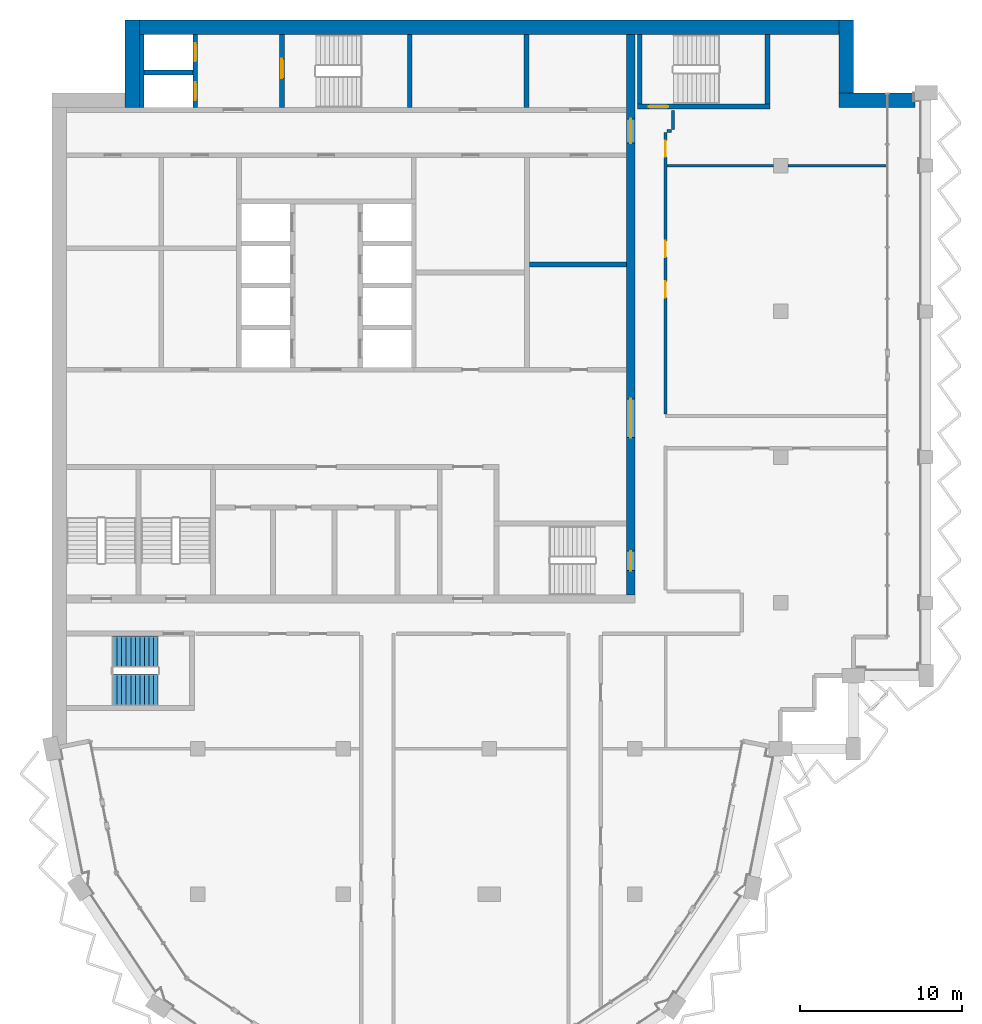
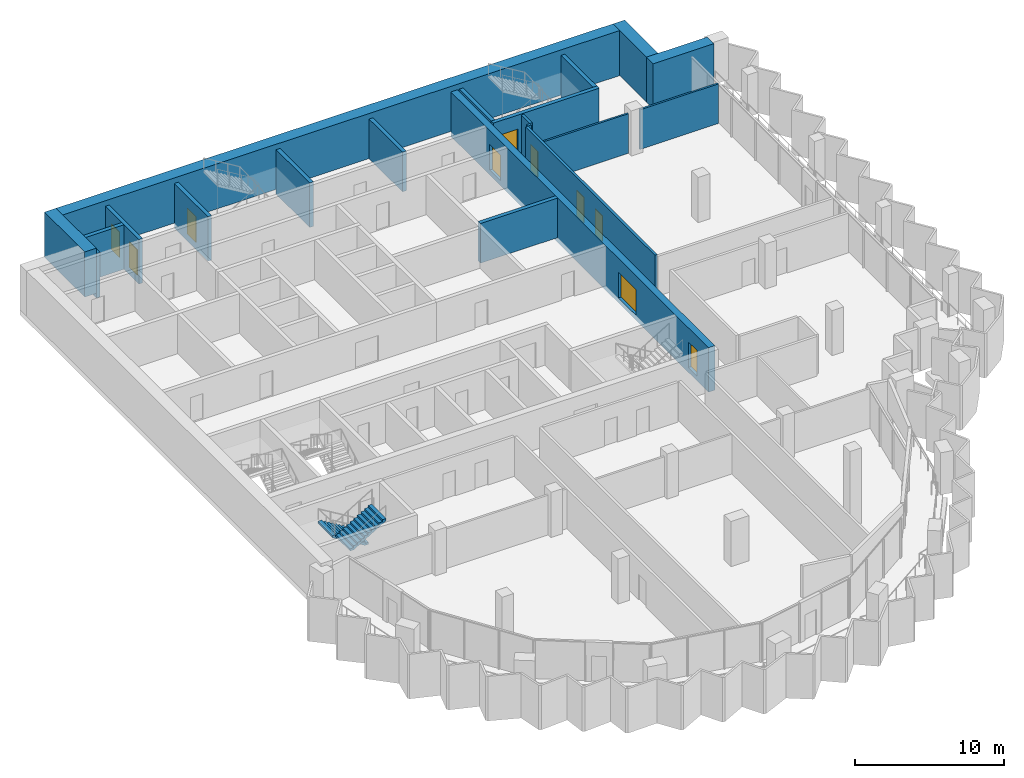
# One storey, part 8 of 13: 20 walls, 10 doors, 2 stair flights, 10 openings, 1 element without a shape of its own.
"""IFC4 building model written with IfcOpenShell, lengths in metres."""

from ifc_helpers import new_model, si_unit, direction, frame, frame_2d, origin, place, context, subcontext, project, spatial, polyline, rectangle, outline, extrude, material, layer, layer_set, type_object, element, fill, aggregate, save


model = new_model("IFC4")

# Units and contexts
model_context = context("Model", 3, precision=1e-05, world=origin(), true_north=direction((0.0, 1.0)))
body_context = subcontext(model_context, "Body", "Model", "MODEL_VIEW")
ifc_project = project(units=[si_unit("LENGTHUNIT", "METRE"), si_unit("AREAUNIT", "SQUARE_METRE"), si_unit("VOLUMEUNIT", "CUBIC_METRE"), si_unit("PLANEANGLEUNIT", "RADIAN"), si_unit("MASSUNIT", "GRAM", prefix="KILO")], contexts=[model_context])

# Site, building, storey
site_placement = place(None, origin())
site = spatial("IfcSite", under=ifc_project, at=site_placement, CompositionType="ELEMENT")
building_placement = place(site_placement, origin())
building = spatial("IfcBuilding", under=site, at=building_placement, Name="Hunhe Ridgeline Campus", CompositionType="ELEMENT")
storey_placement = place(building_placement, frame((0.0, 0.0, 299.300048828125)))
storey = spatial("IfcBuildingStorey", under=building, at=storey_placement, Name="L77", CompositionType="ELEMENT", Elevation=299.300048828125)

# Walls
ifc_material_1 = material(Name="Masonry concrete blockwork", Category="masonry")
ifc_layer_1 = layer(ifc_material_1, 0.300048828125)
ifc_layer_set_1 = layer_set([ifc_layer_1], Name="Core room partition 300 concrete block")
wall_type_1 = type_object("IfcWallType", Name="Core room partition 300 concrete block", PredefinedType="PARTITIONING", material=ifc_layer_set_1)
wall_1_placement = place(storey_placement, frame((29.5, 83.89990234375, 0.0), z_axis=(0.0, 0.0, 1.0), x_axis=(1.0, 0.0, 0.0)))
element("IfcWall", 1, at=wall_1_placement, inside=storey, type_object=wall_type_1, Name="L77 core partition 15", PredefinedType="PARTITIONING", context=body_context, shape_type="SweptSolid", body=[
    extrude(rectangle(XDim=6.0, YDim=0.300048828125, at=frame_2d((3.0, 0.0))), origin(), (0.0, 0.0, 1.0), 3.25),
])
wall_2_placement = place(storey_placement, frame((29.300048828125, 93.60009765625, 0.0), z_axis=(0.0, 0.0, 1.0), x_axis=(0.0, 1.0, 0.0)))
element("IfcWall", 2, at=wall_2_placement, inside=storey, type_object=wall_type_1, Name="L77 core partition 44", PredefinedType="PARTITIONING", context=body_context, shape_type="SweptSolid", body=[
    extrude(rectangle(XDim=4.5, YDim=0.300048828125, at=frame_2d((2.25, 0.0))), origin(), (0.0, 0.0, 1.0), 3.25),
])

# Wall, openings, doors
ifc_material_2 = material(Name="Concrete C50", Category="concrete")
ifc_layer_2 = layer(ifc_material_2, 0.5)
ifc_layer_set_2 = layer_set([ifc_layer_2], Name="Core wall 500 reinforced concrete C50")
wall_type_2 = type_object("IfcWallType", Name="Core wall 500 reinforced concrete C50", PredefinedType="SOLIDWALL", material=ifc_layer_set_2)
wall_3_placement = place(storey_placement, frame((35.75, 63.5, -0.400146484375), z_axis=(0.0, 0.0, 1.0), x_axis=(0.0, 1.0, 0.0)))
wall_3 = element("IfcWall", 3, at=wall_3_placement, inside=storey, type_object=wall_type_2, Name="L77 core wall 46", PredefinedType="SOLIDWALL", context=body_context, shape_type="SweptSolid", body=[
    extrude(rectangle(XDim=34.60009765625, YDim=0.5, at=frame_2d((17.300048828125, 0.0))), origin(), (0.0, 0.0, 1.0), 3.650146484375),
])
opening_1_placement = place(wall_3_placement, frame((9.699951171875, 0.0, 0.39990234375)))
opening_1 = element("IfcOpeningElement", 4, at=opening_1_placement, cuts=wall_3, Name="Opening CD4", PredefinedType="OPENING", context=body_context, shape_type="SweptSolid", body=[
    extrude(rectangle(XDim=2.39990234375, YDim=2.10009765625, at=frame_2d((1.199951171875, 1.050048828125))), frame((0.0, 0.25, 0.0), z_axis=(0.0, -1.0, 0.0), x_axis=(1.0, 0.0, 0.0)), (0.0, 0.0, 1.0), 0.5),
])
opening_2_placement = place(wall_3_placement, frame((27.89990234375, 0.0, 0.39990234375)))
opening_2 = element("IfcOpeningElement", 5, at=opening_2_placement, cuts=wall_3, Name="Opening CD5", PredefinedType="OPENING", context=body_context, shape_type="SweptSolid", body=[
    extrude(rectangle(XDim=1.5, YDim=2.10009765625, at=frame_2d((0.75, 1.050048828125))), frame((0.0, 0.25, 0.0), z_axis=(0.0, -1.0, 0.0), x_axis=(1.0, 0.0, 0.0)), (0.0, 0.0, 1.0), 0.5),
])
opening_3_placement = place(wall_3_placement, frame((1.5, 0.0, 0.39990234375)))
opening_3 = element("IfcOpeningElement", 6, at=opening_3_placement, cuts=wall_3, Name="Opening CD15", PredefinedType="OPENING", context=body_context, shape_type="SweptSolid", body=[
    extrude(rectangle(XDim=1.199951171875, YDim=2.10009765625, at=frame_2d((0.60009765625, 1.050048828125))), frame((0.0, 0.25, 0.0), z_axis=(0.0, -1.0, 0.0), x_axis=(1.0, 0.0, 0.0)), (0.0, 0.0, 1.0), 0.5),
])
ifc_material_3 = material(Name="Anodised aluminium and glass", Category="aluminium")
door_type_1 = type_object("IfcDoorType", Name="Glazed double door 2400x2100", OperationType="DOUBLE_DOOR_SINGLE_SWING", PredefinedType="DOOR", material=ifc_material_3)
door_1_placement = place(opening_1_placement, frame((2.39990234375, 0.0, 0.0), z_axis=(0.0, 0.0, 1.0), x_axis=(-1.0, 0.0, 0.0)))
door_1 = element("IfcDoor", 7, at=door_1_placement, inside=storey, type_object=door_type_1, Name="L77 door HALL-FLOOR", OperationType="DOUBLE_DOOR_SINGLE_SWING", OverallHeight=2.10009765625, OverallWidth=2.39990234375, PredefinedType="DOOR", context=body_context, shape_type="SweptSolid", body=[
    extrude(rectangle(XDim=2.39990234375, YDim=2.10009765625, at=frame_2d((1.199951171875, 1.050048828125))), frame((0.0, 0.02490234375, 0.0), z_axis=(0.0, -1.0, 0.0), x_axis=(1.0, 0.0, 0.0)), (0.0, 0.0, 1.0), 0.050048828125),
])
fill(opening_1, door_1)
ifc_material_4 = material(Name="Hollow metal fire door leaf")
door_type_2 = type_object("IfcDoorType", Name="Stair door 1200x2100 FD60", OperationType="SINGLE_SWING_LEFT", PredefinedType="DOOR", material=ifc_material_4)
door_2_placement = place(opening_3_placement, frame((1.199951171875, 0.0, 0.0), z_axis=(0.0, 0.0, 1.0), x_axis=(-1.0, 0.0, 0.0)))
door_2 = element("IfcDoor", 8, at=door_2_placement, inside=storey, type_object=door_type_2, Name="L77 door S2-FLOOR", OperationType="SINGLE_SWING_LEFT", OverallHeight=2.10009765625, OverallWidth=1.199951171875, PredefinedType="DOOR", context=body_context, shape_type="SweptSolid", body=[
    extrude(rectangle(XDim=1.199951171875, YDim=2.10009765625, at=frame_2d((0.60009765625, 1.050048828125))), frame((0.0, 0.02490234375, 0.0), z_axis=(0.0, -1.0, 0.0), x_axis=(1.0, 0.0, 0.0)), (0.0, 0.0, 1.0), 0.050048828125),
])
fill(opening_3, door_2)
ifc_material_5 = material(Name="Solid core timber door leaf", Category="wood")
door_type_3 = type_object("IfcDoorType", Name="Timber door 1500x2100", OperationType="SINGLE_SWING_LEFT", PredefinedType="DOOR", material=ifc_material_5)
door_3_placement = place(opening_2_placement, frame((1.5, 0.0, 0.0), z_axis=(0.0, 0.0, 1.0), x_axis=(-1.0, 0.0, 0.0)))
door_3 = element("IfcDoor", 9, at=door_3_placement, inside=storey, type_object=door_type_3, Name="L77 door C1-FLOOR", OperationType="SINGLE_SWING_LEFT", OverallHeight=2.10009765625, OverallWidth=1.5, PredefinedType="DOOR", context=body_context, shape_type="SweptSolid", body=[
    extrude(rectangle(XDim=1.5, YDim=2.10009765625, at=frame_2d((0.75, 1.050048828125))), frame((0.0, 0.02490234375, 0.0), z_axis=(0.0, -1.0, 0.0), x_axis=(1.0, 0.0, 0.0)), (0.0, 0.0, 1.0), 0.050048828125),
])
fill(opening_2, door_3)

# Wall
ifc_material_6 = material(Name="Gypsum board partition")
ifc_layer_3 = layer(ifc_material_6, 0.199951171875)
ifc_layer_set_3 = layer_set([ifc_layer_3], Name="Corridor partition 200 gypsum board on steel studs")
wall_type_3 = type_object("IfcWallType", Name="Corridor partition 200 gypsum board on steel studs", PredefinedType="PARTITIONING", material=ifc_layer_set_3)
wall_4_placement = place(storey_placement, frame((38.25, 92.14990234375, 0.0), z_axis=(0.0, 0.0, 1.0), x_axis=(-1.0, 0.0, 0.0)))
element("IfcWall", 10, at=wall_4_placement, inside=storey, type_object=wall_type_3, Name="F-L77-wall-016", PredefinedType="PARTITIONING", context=body_context, shape_type="SweptSolid", body=[
    extrude(rectangle(XDim=0.25, YDim=0.199951171875, at=frame_2d((0.125, 0.0))), origin(), (0.0, 0.0, 1.0), 3.25),
])

# Wall, openings, doors
wall_5_placement = place(storey_placement, frame((37.89990234375, 92.050048828125, 0.0), z_axis=(0.0, 0.0, 1.0), x_axis=(0.0, -1.0, 0.0)))
wall_5 = element("IfcWall", 11, at=wall_5_placement, inside=storey, type_object=wall_type_3, Name="F-L77-wall-023", PredefinedType="PARTITIONING", context=body_context, shape_type="SweptSolid", body=[
    extrude(rectangle(XDim=17.369384765625, YDim=0.199951171875, at=frame_2d((8.6845703125, 0.0))), origin(), (0.0, 0.0, 1.0), 3.25),
])
opening_4_placement = place(wall_5_placement, frame((9.191650390625, 0.0, 0.0)))
opening_4 = element("IfcOpeningElement", 12, at=opening_4_placement, cuts=wall_5, Name="Opening RD1-014", PredefinedType="OPENING", context=body_context, shape_type="SweptSolid", body=[
    extrude(rectangle(XDim=1.0, YDim=2.10009765625, at=frame_2d((0.5, 1.050048828125))), frame((0.0, 0.10009765625, 0.0), z_axis=(0.0, -1.0, 0.0), x_axis=(1.0, 0.0, 0.0)), (0.0, 0.0, 1.0), 0.199951171875),
])
opening_5_placement = place(wall_5_placement, frame((6.691650390625, 0.0, 0.0)))
opening_5 = element("IfcOpeningElement", 13, at=opening_5_placement, cuts=wall_5, Name="Opening RD1-015", PredefinedType="OPENING", context=body_context, shape_type="SweptSolid", body=[
    extrude(rectangle(XDim=1.0, YDim=2.10009765625, at=frame_2d((0.5, 1.050048828125))), frame((0.0, 0.10009765625, 0.0), z_axis=(0.0, -1.0, 0.0), x_axis=(1.0, 0.0, 0.0)), (0.0, 0.0, 1.0), 0.199951171875),
])
opening_6_placement = place(wall_5_placement, frame((0.5068359375, 0.0, 0.0)))
opening_6 = element("IfcOpeningElement", 14, at=opening_6_placement, cuts=wall_5, Name="Opening RD1-016", PredefinedType="OPENING", context=body_context, shape_type="SweptSolid", body=[
    extrude(rectangle(XDim=1.0, YDim=2.10009765625, at=frame_2d((0.5, 1.050048828125))), frame((0.0, 0.10009765625, 0.0), z_axis=(0.0, -1.0, 0.0), x_axis=(1.0, 0.0, 0.0)), (0.0, 0.0, 1.0), 0.199951171875),
])
ifc_material_7 = material(Name="Timber door leaf", Category="wood")
door_type_4 = type_object("IfcDoorType", Name="Single fire door 1000x2100 timber FD60", OperationType="NOTDEFINED", PredefinedType="DOOR", material=ifc_material_7)
door_4_placement = place(opening_4_placement, frame((1.0, 0.0, 0.0), z_axis=(0.0, 0.0, 1.0), x_axis=(-1.0, 0.0, 0.0)))
door_4 = element("IfcDoor", 15, at=door_4_placement, inside=storey, type_object=door_type_4, Name="F-L77-door-014", OperationType="SINGLE_SWING_RIGHT", OverallHeight=2.10009765625, OverallWidth=1.0, PredefinedType="DOOR", context=body_context, shape_type="SweptSolid", body=[
    extrude(rectangle(XDim=1.0, YDim=2.10009765625, at=frame_2d((0.5, 1.050048828125))), frame((0.0, 0.02490234375, 0.0), z_axis=(0.0, -1.0, 0.0), x_axis=(1.0, 0.0, 0.0)), (0.0, 0.0, 1.0), 0.050048828125),
])
fill(opening_4, door_4)
door_5_placement = place(opening_5_placement, frame((1.0, 0.0, 0.0), z_axis=(0.0, 0.0, 1.0), x_axis=(-1.0, 0.0, 0.0)))
door_5 = element("IfcDoor", 16, at=door_5_placement, inside=storey, type_object=door_type_4, Name="F-L77-door-015", OperationType="SINGLE_SWING_RIGHT", OverallHeight=2.10009765625, OverallWidth=1.0, PredefinedType="DOOR", context=body_context, shape_type="SweptSolid", body=[
    extrude(rectangle(XDim=1.0, YDim=2.10009765625, at=frame_2d((0.5, 1.050048828125))), frame((0.0, 0.02490234375, 0.0), z_axis=(0.0, -1.0, 0.0), x_axis=(1.0, 0.0, 0.0)), (0.0, 0.0, 1.0), 0.050048828125),
])
fill(opening_5, door_5)
door_6_placement = place(opening_6_placement, frame((1.0, 0.0, 0.0), z_axis=(0.0, 0.0, 1.0), x_axis=(-1.0, 0.0, 0.0)))
door_6 = element("IfcDoor", 17, at=door_6_placement, inside=storey, type_object=door_type_4, Name="F-L77-door-016", OperationType="SINGLE_SWING_RIGHT", OverallHeight=2.10009765625, OverallWidth=1.0, PredefinedType="DOOR", context=body_context, shape_type="SweptSolid", body=[
    extrude(rectangle(XDim=1.0, YDim=2.10009765625, at=frame_2d((0.5, 1.050048828125))), frame((0.0, 0.02490234375, 0.0), z_axis=(0.0, -1.0, 0.0), x_axis=(1.0, 0.0, 0.0)), (0.0, 0.0, 1.0), 0.050048828125),
])
fill(opening_6, door_6)

# Walls
wall_6_placement = place(storey_placement, frame((38.35009765625, 93.39599609375, 0.0), z_axis=(0.0, 0.0, 1.0), x_axis=(0.0, -1.0, 0.0)))
element("IfcWall", 18, at=wall_6_placement, inside=storey, type_object=wall_type_3, Name="F-L77-wall-024", PredefinedType="PARTITIONING", context=body_context, shape_type="SweptSolid", body=[
    extrude(rectangle(XDim=1.14599609375, YDim=0.199951171875, at=frame_2d((0.572998046875, 0.0))), origin(), (0.0, 0.0, 1.0), 3.25),
])
ifc_layer_4 = layer(ifc_material_6, 0.14990234375)
ifc_layer_set_4 = layer_set([ifc_layer_4], Name="Room partition 150 gypsum board on steel studs")
wall_type_4 = type_object("IfcWallType", Name="Room partition 150 gypsum board on steel studs", PredefinedType="PARTITIONING", material=ifc_layer_set_4)
wall_7_placement = place(storey_placement, frame((38.0, 90.0, 0.0), z_axis=(0.0, 0.0, 1.0), x_axis=(1.0, 0.0, 0.0)))
element("IfcWall", 19, at=wall_7_placement, inside=storey, type_object=wall_type_4, Name="F-L77-wall-014", PredefinedType="PARTITIONING", context=body_context, shape_type="SweptSolid", body=[
    extrude(rectangle(XDim=6.550048828125, YDim=0.14990234375, at=frame_2d((3.27490234375, 0.0))), origin(), (0.0, 0.0, 1.0), 3.25),
])
wall_8_placement = place(storey_placement, frame((45.449951171875, 90.0, 0.0), z_axis=(0.0, 0.0, 1.0), x_axis=(1.0, 0.0, 0.0)))
element("IfcWall", 20, at=wall_8_placement, inside=storey, type_object=wall_type_4, Name="F-L77-wall-015", PredefinedType="PARTITIONING", context=body_context, shape_type="SweptSolid", body=[
    extrude(rectangle(XDim=6.094970703125, YDim=0.14990234375, at=frame_2d((3.04736328125, 0.0))), origin(), (0.0, 0.0, 1.0), 3.25),
])
ifc_layer_5 = layer(ifc_material_2, 0.300048828125)
ifc_layer_set_5 = layer_set([ifc_layer_5], Name="Shaft wall 300 reinforced concrete C50")
wall_type_5 = type_object("IfcWallType", Name="Shaft wall 300 reinforced concrete C50", PredefinedType="SOLIDWALL", material=ifc_layer_set_5)
wall_9_placement = place(storey_placement, frame((5.699951171875, 95.75, -0.400146484375), z_axis=(0.0, 0.0, 1.0), x_axis=(1.0, 0.0, 0.0)))
element("IfcWall", 21, at=wall_9_placement, inside=storey, type_object=wall_type_5, Name="L77 core wall 23", PredefinedType="SOLIDWALL", context=body_context, shape_type="SweptSolid", body=[
    extrude(rectangle(XDim=3.0, YDim=0.300048828125, at=frame_2d((1.5, 0.0))), origin(), (0.0, 0.0, 1.0), 3.650146484375),
])
wall_10_placement = place(storey_placement, frame((5.550048828125, 93.60009765625, -0.400146484375), z_axis=(0.0, 0.0, 1.0), x_axis=(0.0, 1.0, 0.0)))
element("IfcWall", 22, at=wall_10_placement, inside=storey, type_object=wall_type_5, Name="L77 core wall 25", PredefinedType="SOLIDWALL", context=body_context, shape_type="SweptSolid", body=[
    extrude(rectangle(XDim=4.5, YDim=0.300048828125, at=frame_2d((2.25, 0.0))), origin(), (0.0, 0.0, 1.0), 3.650146484375),
])

# Wall, openings, doors
wall_11_placement = place(storey_placement, frame((8.85009765625, 93.60009765625, -0.400146484375), z_axis=(0.0, 0.0, 1.0), x_axis=(0.0, 1.0, 0.0)))
wall_11 = element("IfcWall", 23, at=wall_11_placement, inside=storey, type_object=wall_type_5, Name="L77 core wall 28", PredefinedType="SOLIDWALL", context=body_context, shape_type="SweptSolid", body=[
    extrude(rectangle(XDim=4.5, YDim=0.300048828125, at=frame_2d((2.25, 0.0))), origin(), (0.0, 0.0, 1.0), 3.650146484375),
])
opening_7_placement = place(wall_11_placement, frame((0.449951171875, 0.0, 0.39990234375)))
opening_7 = element("IfcOpeningElement", 24, at=opening_7_placement, cuts=wall_11, Name="Opening LD-FF1", PredefinedType="OPENING", context=body_context, shape_type="SweptSolid", body=[
    extrude(rectangle(XDim=1.10009765625, YDim=2.10009765625, at=frame_2d((0.550048828125, 1.050048828125))), frame((0.0, 0.14990234375, 0.0), z_axis=(0.0, -1.0, 0.0), x_axis=(1.0, 0.0, 0.0)), (0.0, 0.0, 1.0), 0.300048828125),
])
opening_8_placement = place(wall_11_placement, frame((2.85009765625, 0.0, 0.39990234375)))
opening_8 = element("IfcOpeningElement", 25, at=opening_8_placement, cuts=wall_11, Name="Opening LD-FF2", PredefinedType="OPENING", context=body_context, shape_type="SweptSolid", body=[
    extrude(rectangle(XDim=1.10009765625, YDim=2.10009765625, at=frame_2d((0.550048828125, 1.050048828125))), frame((0.0, 0.14990234375, 0.0), z_axis=(0.0, -1.0, 0.0), x_axis=(1.0, 0.0, 0.0)), (0.0, 0.0, 1.0), 0.300048828125),
])
ifc_material_8 = material(Name="Stainless steel sliding leaves", Category="steel")
door_type_5 = type_object("IfcDoorType", Name="Landing door 1100x2100 FD120", OperationType="SLIDING_TO_LEFT", PredefinedType="DOOR", material=ifc_material_8)
door_7_placement = place(opening_7_placement, origin())
door_7 = element("IfcDoor", 26, at=door_7_placement, inside=storey, type_object=door_type_5, Name="L77 landing door FF1", OperationType="SLIDING_TO_RIGHT", OverallHeight=2.10009765625, OverallWidth=1.10009765625, PredefinedType="DOOR", context=body_context, shape_type="SweptSolid", body=[
    extrude(rectangle(XDim=1.10009765625, YDim=2.10009765625, at=frame_2d((0.550048828125, 1.050048828125))), frame((0.0, 0.02490234375, 0.0), z_axis=(0.0, -1.0, 0.0), x_axis=(1.0, 0.0, 0.0)), (0.0, 0.0, 1.0), 0.050048828125),
])
fill(opening_7, door_7)
door_8_placement = place(opening_8_placement, origin())
door_8 = element("IfcDoor", 27, at=door_8_placement, inside=storey, type_object=door_type_5, Name="L77 landing door FF2", OperationType="SLIDING_TO_LEFT", OverallHeight=2.10009765625, OverallWidth=1.10009765625, PredefinedType="DOOR", context=body_context, shape_type="SweptSolid", body=[
    extrude(rectangle(XDim=1.10009765625, YDim=2.10009765625, at=frame_2d((0.550048828125, 1.050048828125))), frame((0.0, 0.02490234375, 0.0), z_axis=(0.0, -1.0, 0.0), x_axis=(1.0, 0.0, 0.0)), (0.0, 0.0, 1.0), 0.050048828125),
])
fill(opening_8, door_8)

# Walls
ifc_layer_6 = layer(ifc_material_2, 0.89990234375)
ifc_layer_set_6 = layer_set([ifc_layer_6], Name="Spine wall 900 Concrete C50")
wall_type_6 = type_object("IfcWallType", Name="Spine wall 900 Concrete C50", PredefinedType="SHEAR", material=ifc_layer_set_6)
wall_12_placement = place(storey_placement, frame((53.300048828125, 94.050048828125, 0.0), z_axis=(0.0, 0.0, 1.0), x_axis=(-1.0, 0.0, 0.0)))
element("IfcWall", 28, at=wall_12_placement, inside=storey, type_object=wall_type_6, Name="Spine wall SW4-2 L77", PredefinedType="SHEAR", context=body_context, shape_type="SweptSolid", body=[
    extrude(rectangle(XDim=4.699951171875, YDim=0.89990234375, at=frame_2d((2.35009765625, 0.0))), origin(), (0.0, 0.0, 1.0), 3.699951171875),
])
wall_13_placement = place(storey_placement, frame((49.050048828125, 93.60009765625, 0.0), z_axis=(0.0, 0.0, 1.0), x_axis=(0.0, 1.0, 0.0)))
element("IfcWall", 29, at=wall_13_placement, inside=storey, type_object=wall_type_6, Name="Spine wall SW4-3 L77", PredefinedType="SHEAR", context=body_context, shape_type="SweptSolid", body=[
    extrude(rectangle(XDim=5.39990234375, YDim=0.89990234375, at=frame_2d((2.699951171875, 0.0))), origin(), (0.0, 0.0, 1.0), 3.699951171875),
])
wall_14_placement = place(storey_placement, frame((49.5, 98.550048828125, 0.0), z_axis=(0.0, 0.0, 1.0), x_axis=(-1.0, 0.0, 0.0)))
element("IfcWall", 30, at=wall_14_placement, inside=storey, type_object=wall_type_6, Name="Spine wall SW4-4 L77", PredefinedType="SHEAR", context=body_context, shape_type="SweptSolid", body=[
    extrude(rectangle(XDim=45.0, YDim=0.89990234375, at=frame_2d((22.5, 0.0))), origin(), (0.0, 0.0, 1.0), 3.699951171875),
])
wall_15_placement = place(storey_placement, frame((4.949951171875, 99.0, 0.0), z_axis=(0.0, 0.0, 1.0), x_axis=(0.0, -1.0, 0.0)))
element("IfcWall", 31, at=wall_15_placement, inside=storey, type_object=wall_type_6, Name="Spine wall SW4-5 L77", PredefinedType="SHEAR", context=body_context, shape_type="SweptSolid", body=[
    extrude(rectangle(XDim=5.400146484375, YDim=0.89990234375, at=frame_2d((2.7001953125, 0.0))), origin(), (0.0, 0.0, 1.0), 3.699951171875),
])

# Wall, opening, door
ifc_layer_7 = layer(ifc_material_2, 0.300048828125)
ifc_layer_set_7 = layer_set([ifc_layer_7], Name="Stair wall 300 reinforced concrete C50")
wall_type_7 = type_object("IfcWallType", Name="Stair wall 300 reinforced concrete C50", PredefinedType="SOLIDWALL", material=ifc_layer_set_7)
wall_16_placement = place(storey_placement, frame((36.14990234375, 93.64990234375, -0.400146484375), z_axis=(0.0, 0.0, 1.0), x_axis=(1.0, 0.0, 0.0)))
wall_16 = element("IfcWall", 32, at=wall_16_placement, inside=storey, type_object=wall_type_7, Name="L77 core wall 22", PredefinedType="SOLIDWALL", context=body_context, shape_type="SweptSolid", body=[
    extrude(rectangle(XDim=8.2001953125, YDim=0.300048828125, at=frame_2d((4.10009765625, 0.0))), origin(), (0.0, 0.0, 1.0), 3.650146484375),
])
opening_9_placement = place(wall_16_placement, frame((0.699951171875, 0.0, 0.39990234375)))
opening_9 = element("IfcOpeningElement", 33, at=opening_9_placement, cuts=wall_16, Name="Opening CD17", PredefinedType="OPENING", context=body_context, shape_type="SweptSolid", body=[
    extrude(rectangle(XDim=1.199951171875, YDim=2.10009765625, at=frame_2d((0.60009765625, 1.050048828125))), frame((0.0, 0.14990234375, 0.0), z_axis=(0.0, -1.0, 0.0), x_axis=(1.0, 0.0, 0.0)), (0.0, 0.0, 1.0), 0.300048828125),
])
door_9_placement = place(opening_9_placement, frame((1.199951171875, 0.0, 0.0), z_axis=(0.0, 0.0, 1.0), x_axis=(-1.0, 0.0, 0.0)))
door_9 = element("IfcDoor", 34, at=door_9_placement, inside=storey, type_object=door_type_2, Name="L77 door E1", OperationType="SINGLE_SWING_LEFT", OverallHeight=2.10009765625, OverallWidth=1.199951171875, PredefinedType="DOOR", context=body_context, shape_type="SweptSolid", body=[
    extrude(rectangle(XDim=1.199951171875, YDim=2.10009765625, at=frame_2d((0.60009765625, 1.050048828125))), frame((0.0, 0.02490234375, 0.0), z_axis=(0.0, -1.0, 0.0), x_axis=(1.0, 0.0, 0.0)), (0.0, 0.0, 1.0), 0.050048828125),
])
fill(opening_9, door_9)

wall_17_placement = place(storey_placement, frame((14.199951171875, 93.60009765625, -0.400146484375), z_axis=(0.0, 0.0, 1.0), x_axis=(0.0, 1.0, 0.0)))
wall_17 = element("IfcWall", 35, at=wall_17_placement, inside=storey, type_object=wall_type_7, Name="L77 core wall 33", PredefinedType="SOLIDWALL", context=body_context, shape_type="SweptSolid", body=[
    extrude(rectangle(XDim=4.5, YDim=0.300048828125, at=frame_2d((2.25, 0.0))), origin(), (0.0, 0.0, 1.0), 3.650146484375),
])
opening_10_placement = place(wall_17_placement, frame((1.800048828125, 0.0, 0.39990234375)))
opening_10 = element("IfcOpeningElement", 36, at=opening_10_placement, cuts=wall_17, Name="Opening CD16", PredefinedType="OPENING", context=body_context, shape_type="SweptSolid", body=[
    extrude(rectangle(XDim=1.199951171875, YDim=2.10009765625, at=frame_2d((0.60009765625, 1.050048828125))), frame((0.0, 0.14990234375, 0.0), z_axis=(0.0, -1.0, 0.0), x_axis=(1.0, 0.0, 0.0)), (0.0, 0.0, 1.0), 0.300048828125),
])
door_10_placement = place(opening_10_placement, origin())
door_10 = element("IfcDoor", 37, at=door_10_placement, inside=storey, type_object=door_type_2, Name="L77 door S1-FF", OperationType="SINGLE_SWING_RIGHT", OverallHeight=2.10009765625, OverallWidth=1.199951171875, PredefinedType="DOOR", context=body_context, shape_type="SweptSolid", body=[
    extrude(rectangle(XDim=1.199951171875, YDim=2.10009765625, at=frame_2d((0.60009765625, 1.050048828125))), frame((0.0, 0.02490234375, 0.0), z_axis=(0.0, -1.0, 0.0), x_axis=(1.0, 0.0, 0.0)), (0.0, 0.0, 1.0), 0.050048828125),
])
fill(opening_10, door_10)

# Walls
wall_18_placement = place(storey_placement, frame((22.10009765625, 93.60009765625, -0.400146484375), z_axis=(0.0, 0.0, 1.0), x_axis=(0.0, 1.0, 0.0)))
element("IfcWall", 38, at=wall_18_placement, inside=storey, type_object=wall_type_7, Name="L77 core wall 38", PredefinedType="SOLIDWALL", context=body_context, shape_type="SweptSolid", body=[
    extrude(rectangle(XDim=4.5, YDim=0.300048828125, at=frame_2d((2.25, 0.0))), origin(), (0.0, 0.0, 1.0), 3.650146484375),
])
for number, where, z_axis, x_axis, name in (
    (39, (36.300048828125, 93.800048828125, -0.400146484375), (0.0, 0.0, 1.0), (0.0, 1.0, 0.0), "L77 core wall 47"),
    (40, (44.199951171875, 93.800048828125, -0.400146484375), (0.0, 0.0, 1.0), (0.0, 1.0, 0.0), "L77 core wall 48"),
):
    element("IfcWall", number, at=place(storey_placement, frame(where, z_axis=z_axis, x_axis=x_axis)), inside=storey, type_object=wall_type_7, Name=name, PredefinedType="SOLIDWALL", context=body_context, shape_type="SweptSolid", body=[
        extrude(rectangle(XDim=4.300048828125, YDim=0.300048828125, at=frame_2d((2.14990234375, 0.0))), origin(), (0.0, 0.0, 1.0), 3.650146484375),
    ])

# Stair, stair flights
ifc_material_9 = material(Name="Concrete C40", Category="concrete")
stair_type = type_object("IfcStairType", Name="Reinforced concrete dog-leg stair 1950 Concrete C40", PredefinedType="HALF_TURN_STAIR", material=ifc_material_9)
stair_placement = place(storey_placement, origin())
stair = element("IfcStair", 41, at=stair_placement, inside=storey, type_object=stair_type, Name="L77 W2", PredefinedType="HALF_TURN_STAIR")
stair_flight_type = type_object("IfcStairFlightType", Name="Reinforced concrete stair flight 1950 Concrete C40", PredefinedType="STRAIGHT", material=ifc_material_9)
stair_flight_1_placement = place(storey_placement, frame((6.550048828125, 59.97509765625, 0.0), z_axis=(0.0, 0.0, 1.0), x_axis=(-1.0, 0.0, 0.0)))
stair_flight_1 = element("IfcStairFlight", 42, at=stair_flight_1_placement, type_object=stair_flight_type, Name="ST12 flight 1", NumberOfRisers=11, NumberOfTreads=10, PredefinedType="STRAIGHT", RiserHeight=0.168181818, TreadLength=0.28, context=body_context, shape_type="SweptSolid", body=[
    extrude(outline(polyline([(0.0, 0.0), (0.0, 0.168212890625), (0.280029296875, 0.168212890625), (0.280029296875, 0.33642578125), (0.56005859375, 0.33642578125), (0.56005859375, 0.504638671875), (0.840087890625, 0.504638671875), (0.840087890625, 0.672607421875), (1.1201171875, 0.672607421875), (1.1201171875, 0.8408203125), (1.39990234375, 0.8408203125), (1.39990234375, 1.009033203125), (1.679931640625, 1.009033203125), (1.679931640625, 1.17724609375), (1.9599609375, 1.17724609375), (1.9599609375, 1.345458984375), (2.239990234375, 1.345458984375), (2.239990234375, 1.513671875), (2.52001953125, 1.513671875), (2.52001953125, 1.681884765625), (2.800048828125, 1.681884765625), (2.800048828125, 1.85009765625), (2.800048828125, 1.5068359375), (0.291015625, 0.0), (0.0, 0.0)])), frame((0.0, 0.97509765625, 0.0), z_axis=(0.0, -1.0, 0.0), x_axis=(1.0, 0.0, 0.0)), (0.0, 0.0, 1.0), 1.949951171875),
    extrude(outline(polyline([(0.030029296875, 0.030029296875), (0.030029296875, 0.13818359375), (0.31005859375, 0.13818359375), (0.31005859375, 0.306396484375), (0.590087890625, 0.306396484375), (0.590087890625, 0.474609375), (0.8701171875, 0.474609375), (0.8701171875, 0.642578125), (1.14990234375, 0.642578125), (1.14990234375, 0.810791015625), (1.429931640625, 0.810791015625), (1.429931640625, 0.97900390625), (1.7099609375, 0.97900390625), (1.7099609375, 1.147216796875), (1.989990234375, 1.147216796875), (1.989990234375, 1.3154296875), (2.27001953125, 1.3154296875), (2.27001953125, 1.483642578125), (2.550048828125, 1.483642578125), (2.550048828125, 1.65185546875), (2.77001953125, 1.65185546875), (2.77001953125, 1.52392578125), (0.28271484375, 0.030029296875), (0.030029296875, 0.030029296875)])), frame((0.0, -0.070068359375, 0.0), z_axis=(0.0, -1.0, 0.0), x_axis=(1.0, 0.0, 0.0)), (0.0, 0.0, 1.0), 0.019775390625),
    extrude(outline(polyline([(0.030029296875, 0.030029296875), (0.030029296875, 0.13818359375), (0.31005859375, 0.13818359375), (0.31005859375, 0.306396484375), (0.590087890625, 0.306396484375), (0.590087890625, 0.474609375), (0.8701171875, 0.474609375), (0.8701171875, 0.642578125), (1.14990234375, 0.642578125), (1.14990234375, 0.810791015625), (1.429931640625, 0.810791015625), (1.429931640625, 0.97900390625), (1.7099609375, 0.97900390625), (1.7099609375, 1.147216796875), (1.989990234375, 1.147216796875), (1.989990234375, 1.3154296875), (2.27001953125, 1.3154296875), (2.27001953125, 1.483642578125), (2.550048828125, 1.483642578125), (2.550048828125, 1.65185546875), (2.77001953125, 1.65185546875), (2.77001953125, 1.52392578125), (0.28271484375, 0.030029296875), (0.030029296875, 0.030029296875)])), frame((0.0, 0.010009765625, 0.0), z_axis=(0.0, -1.0, 0.0), x_axis=(1.0, 0.0, 0.0)), (0.0, 0.0, 1.0), 0.019775390625),
    extrude(outline(polyline([(0.030029296875, 0.030029296875), (0.030029296875, 0.13818359375), (0.31005859375, 0.13818359375), (0.31005859375, 0.306396484375), (0.590087890625, 0.306396484375), (0.590087890625, 0.474609375), (0.8701171875, 0.474609375), (0.8701171875, 0.642578125), (1.14990234375, 0.642578125), (1.14990234375, 0.810791015625), (1.429931640625, 0.810791015625), (1.429931640625, 0.97900390625), (1.7099609375, 0.97900390625), (1.7099609375, 1.147216796875), (1.989990234375, 1.147216796875), (1.989990234375, 1.3154296875), (2.27001953125, 1.3154296875), (2.27001953125, 1.483642578125), (2.550048828125, 1.483642578125), (2.550048828125, 1.65185546875), (2.77001953125, 1.65185546875), (2.77001953125, 1.52392578125), (0.28271484375, 0.030029296875), (0.030029296875, 0.030029296875)])), frame((0.0, 0.090087890625, 0.0), z_axis=(0.0, -1.0, 0.0), x_axis=(1.0, 0.0, 0.0)), (0.0, 0.0, 1.0), 0.019775390625),
])
stair_flight_2_placement = place(storey_placement, frame((3.75, 57.625, 1.849853515625), z_axis=(0.0, 0.0, 1.0), x_axis=(1.0, 0.0, 0.0)))
stair_flight_2 = element("IfcStairFlight", 43, at=stair_flight_2_placement, type_object=stair_flight_type, Name="ST12 flight 2", NumberOfRisers=11, NumberOfTreads=10, PredefinedType="STRAIGHT", RiserHeight=0.168181818, TreadLength=0.28, context=body_context, shape_type="SweptSolid", body=[
    extrude(outline(polyline([(0.0, 0.0), (0.0, 0.168212890625), (0.280029296875, 0.168212890625), (0.280029296875, 0.33642578125), (0.56005859375, 0.33642578125), (0.56005859375, 0.504638671875), (0.840087890625, 0.504638671875), (0.840087890625, 0.672607421875), (1.1201171875, 0.672607421875), (1.1201171875, 0.8408203125), (1.39990234375, 0.8408203125), (1.39990234375, 1.009033203125), (1.679931640625, 1.009033203125), (1.679931640625, 1.17724609375), (1.9599609375, 1.17724609375), (1.9599609375, 1.345458984375), (2.239990234375, 1.345458984375), (2.239990234375, 1.513671875), (2.52001953125, 1.513671875), (2.52001953125, 1.681884765625), (2.800048828125, 1.681884765625), (2.800048828125, 1.85009765625), (2.800048828125, 1.5068359375), (0.291015625, 0.0), (0.0, 0.0)])), frame((0.0, 0.97509765625, 0.0), z_axis=(0.0, -1.0, 0.0), x_axis=(1.0, 0.0, 0.0)), (0.0, 0.0, 1.0), 1.949951171875),
    extrude(outline(polyline([(0.030029296875, 0.030029296875), (0.030029296875, 0.13818359375), (0.31005859375, 0.13818359375), (0.31005859375, 0.306396484375), (0.590087890625, 0.306396484375), (0.590087890625, 0.474609375), (0.8701171875, 0.474609375), (0.8701171875, 0.642578125), (1.14990234375, 0.642578125), (1.14990234375, 0.810791015625), (1.429931640625, 0.810791015625), (1.429931640625, 0.97900390625), (1.7099609375, 0.97900390625), (1.7099609375, 1.147216796875), (1.989990234375, 1.147216796875), (1.989990234375, 1.3154296875), (2.27001953125, 1.3154296875), (2.27001953125, 1.483642578125), (2.550048828125, 1.483642578125), (2.550048828125, 1.65185546875), (2.77001953125, 1.65185546875), (2.77001953125, 1.52392578125), (0.28271484375, 0.030029296875), (0.030029296875, 0.030029296875)])), frame((0.0, -0.070068359375, 0.0), z_axis=(0.0, -1.0, 0.0), x_axis=(1.0, 0.0, 0.0)), (0.0, 0.0, 1.0), 0.019775390625),
    extrude(outline(polyline([(0.030029296875, 0.030029296875), (0.030029296875, 0.13818359375), (0.31005859375, 0.13818359375), (0.31005859375, 0.306396484375), (0.590087890625, 0.306396484375), (0.590087890625, 0.474609375), (0.8701171875, 0.474609375), (0.8701171875, 0.642578125), (1.14990234375, 0.642578125), (1.14990234375, 0.810791015625), (1.429931640625, 0.810791015625), (1.429931640625, 0.97900390625), (1.7099609375, 0.97900390625), (1.7099609375, 1.147216796875), (1.989990234375, 1.147216796875), (1.989990234375, 1.3154296875), (2.27001953125, 1.3154296875), (2.27001953125, 1.483642578125), (2.550048828125, 1.483642578125), (2.550048828125, 1.65185546875), (2.77001953125, 1.65185546875), (2.77001953125, 1.52392578125), (0.28271484375, 0.030029296875), (0.030029296875, 0.030029296875)])), frame((0.0, 0.010009765625, 0.0), z_axis=(0.0, -1.0, 0.0), x_axis=(1.0, 0.0, 0.0)), (0.0, 0.0, 1.0), 0.019775390625),
    extrude(outline(polyline([(0.030029296875, 0.030029296875), (0.030029296875, 0.13818359375), (0.31005859375, 0.13818359375), (0.31005859375, 0.306396484375), (0.590087890625, 0.306396484375), (0.590087890625, 0.474609375), (0.8701171875, 0.474609375), (0.8701171875, 0.642578125), (1.14990234375, 0.642578125), (1.14990234375, 0.810791015625), (1.429931640625, 0.810791015625), (1.429931640625, 0.97900390625), (1.7099609375, 0.97900390625), (1.7099609375, 1.147216796875), (1.989990234375, 1.147216796875), (1.989990234375, 1.3154296875), (2.27001953125, 1.3154296875), (2.27001953125, 1.483642578125), (2.550048828125, 1.483642578125), (2.550048828125, 1.65185546875), (2.77001953125, 1.65185546875), (2.77001953125, 1.52392578125), (0.28271484375, 0.030029296875), (0.030029296875, 0.030029296875)])), frame((0.0, 0.090087890625, 0.0), z_axis=(0.0, -1.0, 0.0), x_axis=(1.0, 0.0, 0.0)), (0.0, 0.0, 1.0), 0.019775390625),
])
aggregate(stair, [stair_flight_1, stair_flight_2])

save(model, "model.ifc")
